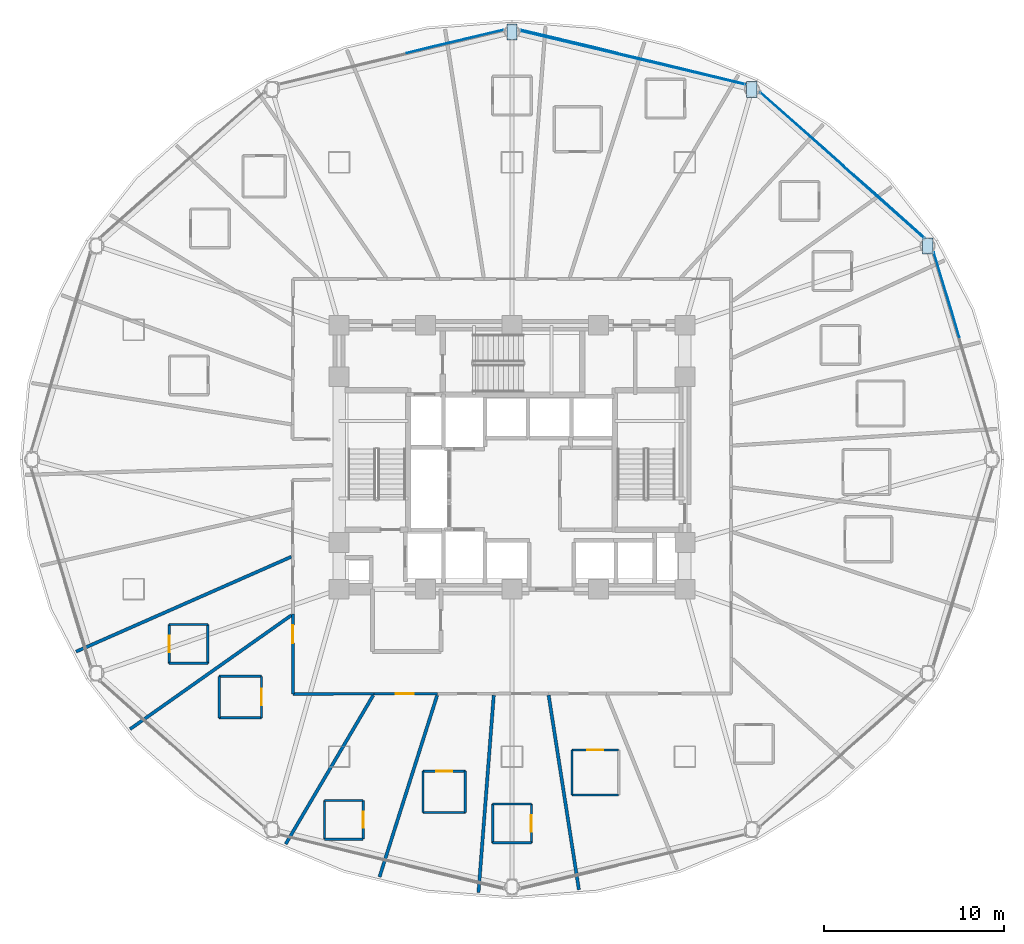
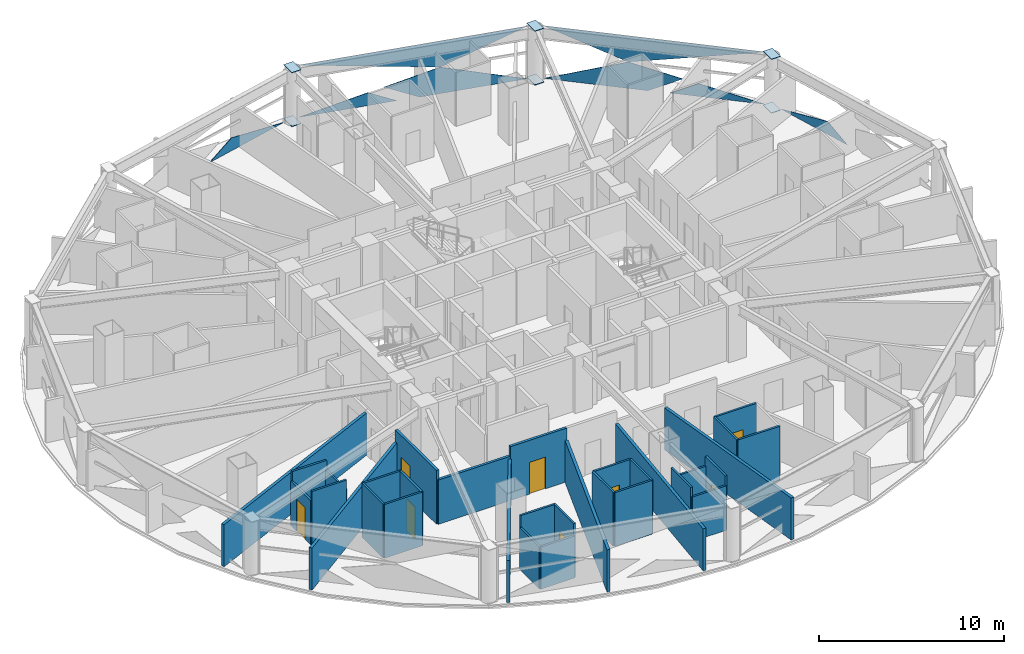
# One storey, part 23 of 32: 32 walls, 14 plates, 8 doors, 8 openings, 4 elements without a shape of their own.
"""IFC4 building model written with IfcOpenShell, lengths in metres."""

from ifc_helpers import new_model, si_unit, direction, frame, frame_2d, origin, place, context, subcontext, project, spatial, polyline, rectangle, outline, extrude, material, layer, layer_set, type_object, element, fill, aggregate, save


model = new_model("IFC4")

# Units and contexts
model_context = context("Model", 3, precision=1e-05, world=origin(), true_north=direction((0.0, 1.0)))
body_context = subcontext(model_context, "Body", "Model", "MODEL_VIEW")
ifc_project = project(units=[si_unit("LENGTHUNIT", "METRE"), si_unit("AREAUNIT", "SQUARE_METRE"), si_unit("VOLUMEUNIT", "CUBIC_METRE"), si_unit("PLANEANGLEUNIT", "RADIAN"), si_unit("MASSUNIT", "GRAM", prefix="KILO")], contexts=[model_context])

# Site, building, storey
site_placement = place(None, origin())
site = spatial("IfcSite", under=ifc_project, at=site_placement, CompositionType="ELEMENT")
building_placement = place(site_placement, origin())
building = spatial("IfcBuilding", under=site, at=building_placement, Name="Vantalir Tower", CompositionType="ELEMENT")
storey_placement = place(building_placement, frame((0.0, 0.0, 45.75)))
storey = spatial("IfcBuildingStorey", under=building, at=storey_placement, Name="L10", CompositionType="ELEMENT", Elevation=45.75)

# Curtain wall, plate
ifc_material_1 = material(Name="Champagne-silver PVDF aluminium and double-silver Low-E glass", Category="aluminium")
ifc_layer_1 = layer(ifc_material_1, 0.18994140625)
ifc_layer_set_1 = layer_set([ifc_layer_1], Name="Champagne-silver PVDF aluminium and double-silver Low-E glass")
curtain_wall_type = type_object("IfcCurtainWallType", Name="CW-DIAMOND-Z1", PredefinedType="USERDEFINED", material=ifc_layer_set_1)
curtain_wall_1_placement = place(storey_placement, origin())
curtain_wall_1 = element("IfcCurtainWall", 1, at=curtain_wall_1_placement, inside=storey, type_object=curtain_wall_type, Name="L10 Quilted Pyramid-Diamond Curtain Wall S01", ObjectType="UNITISED CURTAIN WALL", PredefinedType="USERDEFINED")
ifc_material_2 = material(Name="Double-silver Low-E laminated glass IGU", Category="glass")
ifc_layer_2 = layer(ifc_material_2, 0.028076171875)
ifc_layer_set_2 = layer_set([ifc_layer_2], Name="Double-silver Low-E laminated glass IGU")
plate_type_1 = type_object("IfcPlateType", Name="CWP-IGU-28", PredefinedType="CURTAIN_PANEL", material=ifc_layer_set_2)
plate_1_placement = place(storey_placement, frame((56.323486328125, 31.783935546875, 0.046142578125), z_axis=(-0.95759038905, -0.287801570428, 0.013816760045), x_axis=(-0.287829700777, 0.957681607266, -4.9548924e-05)))
plate_1 = element("IfcPlate", 2, at=plate_1_placement, type_object=plate_type_1, Name="CW-L10-S01 Pyramid Diamond Facet 1L Infill Light", PredefinedType="CURTAIN_PANEL", context=body_context, shape_type="SweptSolid", body=[
    extrude(outline(polyline([(0.0, 0.0), (4.927263888329867, 2.4665599424045226e-18), (1.4618071204743284, -0.8385313810885956), (0.0, 0.0)])), origin(), (0.0, 0.0, -1.0), 0.028076171875),
])
aggregate(curtain_wall_1, [plate_1])

# Curtain wall, plates
curtain_wall_2_placement = place(storey_placement, origin())
curtain_wall_2 = element("IfcCurtainWall", 3, at=curtain_wall_2_placement, inside=storey, type_object=curtain_wall_type, Name="L10 Quilted Pyramid-Diamond Curtain Wall S02", ObjectType="UNITISED CURTAIN WALL", PredefinedType="USERDEFINED")
plate_2_placement = place(storey_placement, frame((49.5517578125, 41.57861328125, 0.04638671875), z_axis=(-0.66536670794, -0.746390029798, 0.013750177533), x_axis=(-0.746460205422, 0.665430056339, 4.2915024e-05)))
plate_2 = element("IfcPlate", 4, at=plate_2_placement, type_object=plate_type_1, Name="CW-L10-S02 Pyramid Diamond Facet 1L", PredefinedType="CURTAIN_PANEL", context=body_context, shape_type="SweptSolid", body=[
    extrude(outline(polyline([(0.0, 0.0), (5.726677131115245, 3.9302328752599536e-18), (1.088783462560477, -1.7271673408944206), (-1.9118682876419688, -1.0407093991941267), (0.0, 0.0)])), origin(), (0.0, 0.0, -1.0), 0.028076171875),
])
plate_3_placement = place(storey_placement, frame((54.394287109375, 37.3046875, 0.0458984375), z_axis=(-0.665349140096, -0.746403820482, 0.013851301154), x_axis=(-0.746475432762, 0.66541297574, 0.0)))
plate_3 = element("IfcPlate", 5, at=plate_3_placement, type_object=plate_type_1, Name="CW-L10-S02 Pyramid Diamond Facet 1L Infill Light", PredefinedType="CURTAIN_PANEL", context=body_context, shape_type="SweptSolid", body=[
    extrude(outline(polyline([(0.0, 0.0), (5.225402731866094, 6.938893903907228e-18), (3.678675247986238, -0.8418776395829664), (0.0, 0.0)])), origin(), (0.0, 0.0, -1.0), 0.028076171875),
])
plate_4_placement = place(storey_placement, frame((45.277099609375, 45.389404296875, 3.5234375), z_axis=(0.665371267275, 0.746386987008, 0.013694608798), x_axis=(0.746456803677, -0.665433873381, 2.0035344e-05)))
plate_4 = element("IfcPlate", 6, at=plate_4_placement, type_object=plate_type_1, Name="CW-L10-S02 Pyramid Diamond Facet 2U", PredefinedType="CURTAIN_PANEL", context=body_context, shape_type="SweptSolid", body=[
    extrude(outline(polyline([(0.0, 0.0), (12.185497165828616, 4.174178364069192e-18), (4.637933054903152, 1.727305683223863), (0.0, 0.0)])), origin(), (0.0, 0.0, -1.0), 0.028076171875),
])
aggregate(curtain_wall_2, [plate_2, plate_3, plate_4])

curtain_wall_3_placement = place(storey_placement, origin())
curtain_wall_3 = element("IfcCurtainWall", 7, at=curtain_wall_3_placement, inside=storey, type_object=curtain_wall_type, Name="L10 Quilted Pyramid-Diamond Curtain Wall S03", ObjectType="UNITISED CURTAIN WALL", PredefinedType="USERDEFINED")
plate_5_placement = place(storey_placement, frame((44.443359375, 45.82470703125, 0.04638671875), z_axis=(-0.232271719919, -0.972553958301, 0.013734857772), x_axis=(-0.972645705417, 0.232293632573, 7.1201e-08)))
plate_5 = element("IfcPlate", 8, at=plate_5_placement, type_object=plate_type_1, Name="CW-L10-S03 Pyramid Diamond Facet 1L", PredefinedType="CURTAIN_PANEL", context=body_context, shape_type="SweptSolid", body=[
    extrude(outline(polyline([(0.0, 0.0), (6.034711447233511, 0.0), (8.038137639816432, -1.0401366037735902), (4.875957808240545, -1.7274579513557387), (0.0, 0.0)])), origin(), (0.0, 0.0, -1.0), 0.028076171875),
])
plate_6_placement = place(storey_placement, frame((37.337646484375, 47.5546875, 0.0458984375), z_axis=(-0.232271820533, -0.972555167663, 0.013647242898), x_axis=(-0.972645748173, 0.232293453548, 0.0)))
plate_6 = element("IfcPlate", 9, at=plate_6_placement, type_object=plate_type_1, Name="CW-L10-S03 Pyramid Diamond Facet 1L Infill Light", PredefinedType="CURTAIN_PANEL", context=body_context, shape_type="SweptSolid", body=[
    extrude(outline(polyline([(0.0, 0.0), (5.509346633336116, 3.469446951953614e-18), (1.6260116027675404, -0.8440727473944789), (0.0, 0.0)])), origin(), (0.0, 0.0, -1.0), 0.028076171875),
])
plate_7_placement = place(storey_placement, frame((31.9716796875, 48.803466796875, 3.523681640625), z_axis=(0.232286166338, 0.972550840911, 0.013711264369), x_axis=(0.972642333461, -0.232307750187, -1.9040058e-05)))
plate_7 = element("IfcPlate", 10, at=plate_7_placement, type_object=plate_type_1, Name="CW-L10-S03 Pyramid Diamond Facet 2U", PredefinedType="CURTAIN_PANEL", context=body_context, shape_type="SweptSolid", body=[
    extrude(outline(polyline([(0.0, 0.0), (12.822472617576965, 4.0657581468206416e-19), (7.9465474766790285, 1.7275501563723787), (0.0, 0.0)])), origin(), (0.0, 0.0, -1.0), 0.028076171875),
])
aggregate(curtain_wall_3, [plate_5, plate_6, plate_7])

# Curtain wall, plate
curtain_wall_4_placement = place(storey_placement, origin())
curtain_wall_4 = element("IfcCurtainWall", 11, at=curtain_wall_4_placement, inside=storey, type_object=curtain_wall_type, Name="L10 Quilted Pyramid-Diamond Curtain Wall S04", ObjectType="UNITISED CURTAIN WALL", PredefinedType="USERDEFINED")
plate_8_placement = place(storey_placement, frame((31.02099609375, 48.83447265625, 0.0458984375), z_axis=(0.232291757476, -0.972550019329, 0.01367476915), x_axis=(-0.972640965177, -0.232313479722, 0.0)))
plate_8 = element("IfcPlate", 12, at=plate_8_placement, type_object=plate_type_1, Name="CW-L10-S04 Pyramid Diamond Facet 1L Infill Light", PredefinedType="CURTAIN_PANEL", context=body_context, shape_type="SweptSolid", body=[
    extrude(outline(polyline([(0.0, 0.0), (5.508871709822063, 0.0), (3.8830973313971784, -0.8440730648557789), (0.0, 0.0)])), origin(), (0.0, 0.0, -1.0), 0.028076171875),
])
aggregate(curtain_wall_4, [plate_8])

# Plates
ifc_material_3 = material(Name="Steel S460", Category="steel")
ifc_layer_3 = layer(ifc_material_3, 0.035888671875)
ifc_layer_set_3 = layer_set([ifc_layer_3], Name="Steel S460")
plate_type_2 = type_object("IfcPlateType", Name="PLT-KN-Z2", PredefinedType="USERDEFINED", material=ifc_layer_set_3)
for number, where, z_axis, x_axis, name in (
    (13, (54.280029296875, 37.302978515625, 3.597900390625), (0.0, 0.0, 1.0), (0.0, -1.0, 0.0), "L10 Ring Column Top Cap RC02"),
    (14, (54.280029296875, 37.302978515625, 0.052978515625), (0.0, 0.0, 1.0), (0.0, -1.0, 0.0), "L10 Ring Column Base Cap RC02"),
):
    element("IfcPlate", number, at=place(storey_placement, frame(where, z_axis=z_axis, x_axis=x_axis)), inside=storey, type_object=plate_type_2, Name=name, ObjectType="FLANGE_PLATE", PredefinedType="USERDEFINED", context=body_context, shape_type="SweptSolid", body=[
        extrude(outline(polyline([(0.0, 0.0), (0.8798828125, 0.0), (0.8798828125, 0.580078125), (0.0, 0.580078125), (0.0, 0.0)])), origin(), (0.0, 0.0, -1.0), 0.035888671875),
    ])
for number, where, z_axis, x_axis, name in (
    (15, (44.530029296875, 45.987060546875, 3.597900390625), (0.0, 0.0, 1.0), (0.0, -1.0, 0.0), "L10 Ring Column Top Cap RC03"),
    (16, (44.530029296875, 45.987060546875, 0.052978515625), (0.0, 0.0, 1.0), (0.0, -1.0, 0.0), "L10 Ring Column Base Cap RC03"),
    (17, (31.2099609375, 49.166015625, 3.597900390625), (0.0, 0.0, 1.0), (0.0, -1.0, 0.0), "L10 Ring Column Top Cap RC04"),
    (18, (31.2099609375, 49.166015625, 0.052978515625), (0.0, 0.0, 1.0), (0.0, -1.0, 0.0), "L10 Ring Column Base Cap RC04"),
):
    element("IfcPlate", number, at=place(storey_placement, frame(where, z_axis=z_axis, x_axis=x_axis)), inside=storey, type_object=plate_type_2, Name=name, ObjectType="FLANGE_PLATE", PredefinedType="USERDEFINED", context=body_context, shape_type="SweptSolid", body=[
        extrude(outline(polyline([(0.0, 0.0), (0.880126953125, 0.0), (0.880126953125, 0.580078125), (0.0, 0.580078125), (0.0, 0.0)])), origin(), (0.0, 0.0, -1.0), 0.035888671875),
    ])

# Walls
ifc_material_4 = material(Name="Moisture-resistant en-suite partition", Category="gypsum")
ifc_layer_4 = layer(ifc_material_4, 0.125)
ifc_layer_set_4 = layer_set([ifc_layer_4], Name="Moisture-resistant en-suite partition")
wall_type_1 = type_object("IfcWallType", Name="WL-BATH-125", PredefinedType="PARTITIONING", material=ifc_layer_set_4)
for number, where, z_axis, x_axis, name in (
    (19, (12.465087890625, 13.68701171875, 0.0), (0.0, 0.0, 1.0), (1.0, 0.0, 0.0), "L10 En-suite 18 South Wall"),
    (20, (12.465087890625, 15.8369140625, 0.0), (0.0, 0.0, 1.0), (1.0, 0.0, 0.0), "L10 En-suite 18 North Wall"),
):
    element("IfcWall", number, at=place(storey_placement, frame(where, z_axis=z_axis, x_axis=x_axis)), inside=storey, type_object=wall_type_1, Name=name, PredefinedType="PARTITIONING", context=body_context, shape_type="SweptSolid", body=[
        extrude(rectangle(XDim=2.14990234375, YDim=0.125, at=frame_2d((1.074951171875, 0.0))), origin(), (0.0, 0.0, 1.0), 3.550048828125),
    ])

# Wall, opening, door
wall_1_placement = place(storey_placement, frame((12.465087890625, 13.68701171875, 0.0), z_axis=(0.0, 0.0, 1.0), x_axis=(0.0, 1.0, 0.0)))
wall_1 = element("IfcWall", 21, at=wall_1_placement, inside=storey, type_object=wall_type_1, Name="L10 En-suite 18 West Wall", PredefinedType="PARTITIONING", context=body_context, shape_type="SweptSolid", body=[
    extrude(rectangle(XDim=2.14990234375, YDim=0.125, at=frame_2d((1.074951171875, 0.0))), origin(), (0.0, 0.0, 1.0), 2.927978515625),
])
opening_1_placement = place(wall_1_placement, frame((0.625, 0.0, 0.0)))
opening_1 = element("IfcOpeningElement", 22, at=opening_1_placement, cuts=wall_1, Name="Opening D-WC", PredefinedType="OPENING", context=body_context, shape_type="SweptSolid", body=[
    extrude(rectangle(XDim=0.89990234375, YDim=2.10009765625, at=frame_2d((0.449951171875, 1.050048828125))), frame((0.0, 0.072509765625, 0.0), z_axis=(0.0, -1.0, 0.0), x_axis=(1.0, 0.0, 0.0)), (0.0, 0.0, 1.0), 0.14501953125),
])
ifc_material_5 = material(Name="Moisture-resistant hardwood door", Category="wood")
door_type_1 = type_object("IfcDoorType", Name="DR-ENSUITE-900", OperationType="NOTDEFINED", PredefinedType="DOOR", material=ifc_material_5)
door_1_placement = place(opening_1_placement, frame((0.89990234375, 0.0, 0.0), z_axis=(0.0, 0.0, 1.0), x_axis=(-1.0, 0.0, 0.0)))
door_1 = element("IfcDoor", 23, at=door_1_placement, inside=storey, type_object=door_type_1, Name="L10 En-suite 18 Door", OperationType="SINGLE_SWING_LEFT", OverallHeight=2.10009765625, OverallWidth=0.89990234375, PredefinedType="DOOR", context=body_context, shape_type="SweptSolid", body=[
    extrude(rectangle(XDim=0.89990234375, YDim=2.10009765625, at=frame_2d((0.449951171875, 1.050048828125))), frame((0.0, 0.02490234375, 0.0), z_axis=(0.0, -1.0, 0.0), x_axis=(1.0, 0.0, 0.0)), (0.0, 0.0, 1.0), 0.050048828125),
])
fill(opening_1, door_1)

# Walls
wall_2_placement = place(storey_placement, frame((14.614990234375, 13.68701171875, 0.0), z_axis=(0.0, 0.0, 1.0), x_axis=(0.0, 1.0, 0.0)))
element("IfcWall", 24, at=wall_2_placement, inside=storey, type_object=wall_type_1, Name="L10 En-suite 18 East Wall", PredefinedType="PARTITIONING", context=body_context, shape_type="SweptSolid", body=[
    extrude(rectangle(XDim=2.14990234375, YDim=0.125, at=frame_2d((1.074951171875, 0.0))), origin(), (0.0, 0.0, 1.0), 2.927978515625),
])
for number, where, z_axis, x_axis, name in (
    (25, (15.242919921875, 10.6630859375, 0.0), (0.0, 0.0, 1.0), (1.0, 0.0, 0.0), "L10 En-suite 19 South Wall"),
    (26, (15.242919921875, 12.962890625, 0.0), (0.0, 0.0, 1.0), (1.0, 0.0, 0.0), "L10 En-suite 19 North Wall"),
):
    element("IfcWall", number, at=place(storey_placement, frame(where, z_axis=z_axis, x_axis=x_axis)), inside=storey, type_object=wall_type_1, Name=name, PredefinedType="PARTITIONING", context=body_context, shape_type="SweptSolid", body=[
        extrude(rectangle(XDim=2.35009765625, YDim=0.125, at=frame_2d((1.175048828125, 0.0))), origin(), (0.0, 0.0, 1.0), 3.550048828125),
    ])
wall_3_placement = place(storey_placement, frame((15.242919921875, 10.6630859375, 0.0), z_axis=(0.0, 0.0, 1.0), x_axis=(0.0, 1.0, 0.0)))
element("IfcWall", 27, at=wall_3_placement, inside=storey, type_object=wall_type_1, Name="L10 En-suite 19 West Wall", PredefinedType="PARTITIONING", context=body_context, shape_type="SweptSolid", body=[
    extrude(rectangle(XDim=2.2998046875, YDim=0.125, at=frame_2d((1.14990234375, 0.0))), origin(), (0.0, 0.0, 1.0), 3.550048828125),
])

# Wall, opening, door
wall_4_placement = place(storey_placement, frame((17.593017578125, 10.6630859375, 0.0), z_axis=(0.0, 0.0, 1.0), x_axis=(0.0, 1.0, 0.0)))
wall_4 = element("IfcWall", 28, at=wall_4_placement, inside=storey, type_object=wall_type_1, Name="L10 En-suite 19 East Wall", PredefinedType="PARTITIONING", context=body_context, shape_type="SweptSolid", body=[
    extrude(rectangle(XDim=2.2998046875, YDim=0.125, at=frame_2d((1.14990234375, 0.0))), origin(), (0.0, 0.0, 1.0), 3.550048828125),
])
opening_2_placement = place(wall_4_placement, frame((0.699951171875, 0.0, 0.0)))
opening_2 = element("IfcOpeningElement", 29, at=opening_2_placement, cuts=wall_4, Name="Opening D-WC", PredefinedType="OPENING", context=body_context, shape_type="SweptSolid", body=[
    extrude(rectangle(XDim=0.89990234375, YDim=2.10009765625, at=frame_2d((0.449951171875, 1.050048828125))), frame((0.0, 0.072509765625, 0.0), z_axis=(0.0, -1.0, 0.0), x_axis=(1.0, 0.0, 0.0)), (0.0, 0.0, 1.0), 0.14501953125),
])
door_2_placement = place(opening_2_placement, origin())
door_2 = element("IfcDoor", 30, at=door_2_placement, inside=storey, type_object=door_type_1, Name="L10 En-suite 19 Door", OperationType="SINGLE_SWING_RIGHT", OverallHeight=2.10009765625, OverallWidth=0.89990234375, PredefinedType="DOOR", context=body_context, shape_type="SweptSolid", body=[
    extrude(rectangle(XDim=0.89990234375, YDim=2.10009765625, at=frame_2d((0.449951171875, 1.050048828125))), frame((0.0, 0.02490234375, 0.0), z_axis=(0.0, -1.0, 0.0), x_axis=(1.0, 0.0, 0.0)), (0.0, 0.0, 1.0), 0.050048828125),
])
fill(opening_2, door_2)

# Walls
wall_5_placement = place(storey_placement, frame((21.090087890625, 3.923095703125, 0.0), z_axis=(0.0, 0.0, 1.0), x_axis=(1.0, 0.0, 0.0)))
element("IfcWall", 31, at=wall_5_placement, inside=storey, type_object=wall_type_1, Name="L10 En-suite 20 South Wall", PredefinedType="PARTITIONING", context=body_context, shape_type="SweptSolid", body=[
    extrude(rectangle(XDim=2.14990234375, YDim=0.125, at=frame_2d((1.074951171875, 0.0))), origin(), (0.0, 0.0, 1.0), 2.77490234375),
])
wall_6_placement = place(storey_placement, frame((21.090087890625, 6.072998046875, 0.0), z_axis=(0.0, 0.0, 1.0), x_axis=(1.0, 0.0, 0.0)))
element("IfcWall", 32, at=wall_6_placement, inside=storey, type_object=wall_type_1, Name="L10 En-suite 20 North Wall", PredefinedType="PARTITIONING", context=body_context, shape_type="SweptSolid", body=[
    extrude(rectangle(XDim=2.14990234375, YDim=0.125, at=frame_2d((1.074951171875, 0.0))), origin(), (0.0, 0.0, 1.0), 3.550048828125),
])
wall_7_placement = place(storey_placement, frame((21.090087890625, 3.923095703125, 0.0), z_axis=(0.0, 0.0, 1.0), x_axis=(0.0, 1.0, 0.0)))
element("IfcWall", 33, at=wall_7_placement, inside=storey, type_object=wall_type_1, Name="L10 En-suite 20 West Wall", PredefinedType="PARTITIONING", context=body_context, shape_type="SweptSolid", body=[
    extrude(rectangle(XDim=2.14990234375, YDim=0.125, at=frame_2d((1.074951171875, 0.0))), origin(), (0.0, 0.0, 1.0), 2.77490234375),
])

# Wall, opening, door
wall_8_placement = place(storey_placement, frame((23.239990234375, 3.923095703125, 0.0), z_axis=(0.0, 0.0, 1.0), x_axis=(0.0, 1.0, 0.0)))
wall_8 = element("IfcWall", 34, at=wall_8_placement, inside=storey, type_object=wall_type_1, Name="L10 En-suite 20 East Wall", PredefinedType="PARTITIONING", context=body_context, shape_type="SweptSolid", body=[
    extrude(rectangle(XDim=2.14990234375, YDim=0.125, at=frame_2d((1.074951171875, 0.0))), origin(), (0.0, 0.0, 1.0), 3.550048828125),
])
opening_3_placement = place(wall_8_placement, frame((0.625, 0.0, 0.0)))
opening_3 = element("IfcOpeningElement", 35, at=opening_3_placement, cuts=wall_8, Name="Opening D-WC", PredefinedType="OPENING", context=body_context, shape_type="SweptSolid", body=[
    extrude(rectangle(XDim=0.89990234375, YDim=2.10009765625, at=frame_2d((0.449951171875, 1.050048828125))), frame((0.0, 0.072509765625, 0.0), z_axis=(0.0, -1.0, 0.0), x_axis=(1.0, 0.0, 0.0)), (0.0, 0.0, 1.0), 0.14501953125),
])
door_3_placement = place(opening_3_placement, origin())
door_3 = element("IfcDoor", 36, at=door_3_placement, inside=storey, type_object=door_type_1, Name="L10 En-suite 20 Door", OperationType="SINGLE_SWING_LEFT", OverallHeight=2.10009765625, OverallWidth=0.89990234375, PredefinedType="DOOR", context=body_context, shape_type="SweptSolid", body=[
    extrude(rectangle(XDim=0.89990234375, YDim=2.10009765625, at=frame_2d((0.449951171875, 1.050048828125))), frame((0.0, 0.02490234375, 0.0), z_axis=(0.0, -1.0, 0.0), x_axis=(1.0, 0.0, 0.0)), (0.0, 0.0, 1.0), 0.050048828125),
])
fill(opening_3, door_3)

# Wall
wall_9_placement = place(storey_placement, frame((26.56005859375, 5.40087890625, 0.0), z_axis=(0.0, 0.0, 1.0), x_axis=(1.0, 0.0, 0.0)))
element("IfcWall", 37, at=wall_9_placement, inside=storey, type_object=wall_type_1, Name="L10 En-suite 21 South Wall", PredefinedType="PARTITIONING", context=body_context, shape_type="SweptSolid", body=[
    extrude(rectangle(XDim=2.349853515625, YDim=0.125, at=frame_2d((1.1748046875, 0.0))), origin(), (0.0, 0.0, 1.0), 3.550048828125),
])

# Wall, opening, door
wall_10_placement = place(storey_placement, frame((26.56005859375, 7.700927734375, 0.0), z_axis=(0.0, 0.0, 1.0), x_axis=(1.0, 0.0, 0.0)))
wall_10 = element("IfcWall", 38, at=wall_10_placement, inside=storey, type_object=wall_type_1, Name="L10 En-suite 21 North Wall", PredefinedType="PARTITIONING", context=body_context, shape_type="SweptSolid", body=[
    extrude(rectangle(XDim=2.349853515625, YDim=0.125, at=frame_2d((1.1748046875, 0.0))), origin(), (0.0, 0.0, 1.0), 3.550048828125),
])
opening_4_placement = place(wall_10_placement, frame((0.72509765625, 0.0, 0.0)))
opening_4 = element("IfcOpeningElement", 39, at=opening_4_placement, cuts=wall_10, Name="Opening D-WC", PredefinedType="OPENING", context=body_context, shape_type="SweptSolid", body=[
    extrude(rectangle(XDim=0.89990234375, YDim=2.10009765625, at=frame_2d((0.449951171875, 1.050048828125))), frame((0.0, 0.072509765625, 0.0), z_axis=(0.0, -1.0, 0.0), x_axis=(1.0, 0.0, 0.0)), (0.0, 0.0, 1.0), 0.14501953125),
])
door_4_placement = place(opening_4_placement, frame((0.89990234375, 0.0, 0.0), z_axis=(0.0, 0.0, 1.0), x_axis=(-1.0, 0.0, 0.0)))
door_4 = element("IfcDoor", 40, at=door_4_placement, inside=storey, type_object=door_type_1, Name="L10 En-suite 21 Door", OperationType="SINGLE_SWING_RIGHT", OverallHeight=2.10009765625, OverallWidth=0.89990234375, PredefinedType="DOOR", context=body_context, shape_type="SweptSolid", body=[
    extrude(rectangle(XDim=0.89990234375, YDim=2.10009765625, at=frame_2d((0.449951171875, 1.050048828125))), frame((0.0, 0.02490234375, 0.0), z_axis=(0.0, -1.0, 0.0), x_axis=(1.0, 0.0, 0.0)), (0.0, 0.0, 1.0), 0.050048828125),
])
fill(opening_4, door_4)

# Walls
for number, where, z_axis, x_axis, name in (
    (41, (26.56005859375, 5.40087890625, 0.0), (0.0, 0.0, 1.0), (0.0, 1.0, 0.0), "L10 En-suite 21 West Wall"),
    (42, (28.909912109375, 5.40087890625, 0.0), (0.0, 0.0, 1.0), (0.0, 1.0, 0.0), "L10 En-suite 21 East Wall"),
):
    element("IfcWall", number, at=place(storey_placement, frame(where, z_axis=z_axis, x_axis=x_axis)), inside=storey, type_object=wall_type_1, Name=name, PredefinedType="PARTITIONING", context=body_context, shape_type="SweptSolid", body=[
        extrude(rectangle(XDim=2.300048828125, YDim=0.125, at=frame_2d((1.14990234375, 0.0))), origin(), (0.0, 0.0, 1.0), 3.550048828125),
    ])
for number, where, z_axis, x_axis, name in (
    (43, (30.427978515625, 3.72412109375, 0.0), (0.0, 0.0, 1.0), (1.0, 0.0, 0.0), "L10 En-suite 22 South Wall"),
    (44, (30.427978515625, 5.8740234375, 0.0), (0.0, 0.0, 1.0), (1.0, 0.0, 0.0), "L10 En-suite 22 North Wall"),
):
    element("IfcWall", number, at=place(storey_placement, frame(where, z_axis=z_axis, x_axis=x_axis)), inside=storey, type_object=wall_type_1, Name=name, PredefinedType="PARTITIONING", context=body_context, shape_type="SweptSolid", body=[
        extrude(rectangle(XDim=2.14990234375, YDim=0.125, at=frame_2d((1.074951171875, 0.0))), origin(), (0.0, 0.0, 1.0), 2.927978515625),
    ])
wall_11_placement = place(storey_placement, frame((30.427978515625, 3.72412109375, 0.0), z_axis=(0.0, 0.0, 1.0), x_axis=(0.0, 1.0, 0.0)))
element("IfcWall", 45, at=wall_11_placement, inside=storey, type_object=wall_type_1, Name="L10 En-suite 22 West Wall", PredefinedType="PARTITIONING", context=body_context, shape_type="SweptSolid", body=[
    extrude(rectangle(XDim=2.14990234375, YDim=0.125, at=frame_2d((1.074951171875, 0.0))), origin(), (0.0, 0.0, 1.0), 3.550048828125),
])

# Wall, opening, door
wall_12_placement = place(storey_placement, frame((32.577880859375, 3.72412109375, 0.0), z_axis=(0.0, 0.0, 1.0), x_axis=(0.0, 1.0, 0.0)))
wall_12 = element("IfcWall", 46, at=wall_12_placement, inside=storey, type_object=wall_type_1, Name="L10 En-suite 22 East Wall", PredefinedType="PARTITIONING", context=body_context, shape_type="SweptSolid", body=[
    extrude(rectangle(XDim=2.14990234375, YDim=0.125, at=frame_2d((1.074951171875, 0.0))), origin(), (0.0, 0.0, 1.0), 3.550048828125),
])
opening_5_placement = place(wall_12_placement, frame((0.625, 0.0, 0.0)))
opening_5 = element("IfcOpeningElement", 47, at=opening_5_placement, cuts=wall_12, Name="Opening D-WC", PredefinedType="OPENING", context=body_context, shape_type="SweptSolid", body=[
    extrude(rectangle(XDim=0.89990234375, YDim=2.10009765625, at=frame_2d((0.449951171875, 1.050048828125))), frame((0.0, 0.072509765625, 0.0), z_axis=(0.0, -1.0, 0.0), x_axis=(1.0, 0.0, 0.0)), (0.0, 0.0, 1.0), 0.14501953125),
])
door_5_placement = place(opening_5_placement, origin())
door_5 = element("IfcDoor", 48, at=door_5_placement, inside=storey, type_object=door_type_1, Name="L10 En-suite 22 Door", OperationType="SINGLE_SWING_LEFT", OverallHeight=2.10009765625, OverallWidth=0.89990234375, PredefinedType="DOOR", context=body_context, shape_type="SweptSolid", body=[
    extrude(rectangle(XDim=0.89990234375, YDim=2.10009765625, at=frame_2d((0.449951171875, 1.050048828125))), frame((0.0, 0.02490234375, 0.0), z_axis=(0.0, -1.0, 0.0), x_axis=(1.0, 0.0, 0.0)), (0.0, 0.0, 1.0), 0.050048828125),
])
fill(opening_5, door_5)

# Wall
wall_13_placement = place(storey_placement, frame((34.824951171875, 6.373046875, 0.0), z_axis=(0.0, 0.0, 1.0), x_axis=(1.0, 0.0, 0.0)))
element("IfcWall", 49, at=wall_13_placement, inside=storey, type_object=wall_type_1, Name="L10 En-suite 23 South Wall", PredefinedType="PARTITIONING", context=body_context, shape_type="SweptSolid", body=[
    extrude(rectangle(XDim=2.60009765625, YDim=0.125, at=frame_2d((1.300048828125, 0.0))), origin(), (0.0, 0.0, 1.0), 3.550048828125),
])

# Wall, opening, door
wall_14_placement = place(storey_placement, frame((34.824951171875, 8.873046875, 0.0), z_axis=(0.0, 0.0, 1.0), x_axis=(1.0, 0.0, 0.0)))
wall_14 = element("IfcWall", 50, at=wall_14_placement, inside=storey, type_object=wall_type_1, Name="L10 En-suite 23 North Wall", PredefinedType="PARTITIONING", context=body_context, shape_type="SweptSolid", body=[
    extrude(rectangle(XDim=2.60009765625, YDim=0.125, at=frame_2d((1.300048828125, 0.0))), origin(), (0.0, 0.0, 1.0), 3.550048828125),
])
opening_6_placement = place(wall_14_placement, frame((0.85009765625, 0.0, 0.0)))
opening_6 = element("IfcOpeningElement", 51, at=opening_6_placement, cuts=wall_14, Name="Opening D-WC", PredefinedType="OPENING", context=body_context, shape_type="SweptSolid", body=[
    extrude(rectangle(XDim=0.89990234375, YDim=2.10009765625, at=frame_2d((0.449951171875, 1.050048828125))), frame((0.0, 0.072509765625, 0.0), z_axis=(0.0, -1.0, 0.0), x_axis=(1.0, 0.0, 0.0)), (0.0, 0.0, 1.0), 0.14501953125),
])
door_6_placement = place(opening_6_placement, frame((0.89990234375, 0.0, 0.0), z_axis=(0.0, 0.0, 1.0), x_axis=(-1.0, 0.0, 0.0)))
door_6 = element("IfcDoor", 52, at=door_6_placement, inside=storey, type_object=door_type_1, Name="L10 En-suite 23 Door", OperationType="SINGLE_SWING_RIGHT", OverallHeight=2.10009765625, OverallWidth=0.89990234375, PredefinedType="DOOR", context=body_context, shape_type="SweptSolid", body=[
    extrude(rectangle(XDim=0.89990234375, YDim=2.10009765625, at=frame_2d((0.449951171875, 1.050048828125))), frame((0.0, 0.02490234375, 0.0), z_axis=(0.0, -1.0, 0.0), x_axis=(1.0, 0.0, 0.0)), (0.0, 0.0, 1.0), 0.050048828125),
])
fill(opening_6, door_6)

# Wall
wall_15_placement = place(storey_placement, frame((34.824951171875, 6.373046875, 0.0), z_axis=(0.0, 0.0, 1.0), x_axis=(0.0, 1.0, 0.0)))
element("IfcWall", 53, at=wall_15_placement, inside=storey, type_object=wall_type_1, Name="L10 En-suite 23 West Wall", PredefinedType="PARTITIONING", context=body_context, shape_type="SweptSolid", body=[
    extrude(rectangle(XDim=2.5, YDim=0.125, at=frame_2d((1.25, 0.0))), origin(), (0.0, 0.0, 1.0), 3.550048828125),
])

# Wall, opening, door
ifc_material_6 = material(Name="Fire-rated hotel corridor acoustic partition", Category="gypsum")
ifc_layer_5 = layer(ifc_material_6, 0.159912109375)
ifc_layer_set_5 = layer_set([ifc_layer_5], Name="Fire-rated hotel corridor acoustic partition")
wall_type_2 = type_object("IfcWallType", Name="WL-CORR-160", PredefinedType="PARTITIONING", material=ifc_layer_set_5)
wall_16_placement = place(storey_placement, frame((27.3740234375, 11.998046875, 0.0), z_axis=(0.0, 0.0, 1.0), x_axis=(-0.999999655033, -0.000830621988, 0.0)))
wall_16 = element("IfcWall", 54, at=wall_16_placement, inside=storey, type_object=wall_type_2, Name="L10 Corridor Partition 28", PredefinedType="PARTITIONING", context=body_context, shape_type="SweptSolid", body=[
    extrude(rectangle(XDim=3.527099609375, YDim=0.159912109375, at=frame_2d((1.763671875, 0.0))), origin(), (0.0, 0.0, 1.0), 3.550048828125),
])
opening_7_placement = place(wall_16_placement, frame((1.3369140625, 0.0, 0.0)))
opening_7 = element("IfcOpeningElement", 55, at=opening_7_placement, cuts=wall_16, Name="Opening D-GUEST", PredefinedType="OPENING", context=body_context, shape_type="SweptSolid", body=[
    extrude(rectangle(XDim=1.0, YDim=2.10009765625, at=frame_2d((0.5, 1.050048828125))), frame((0.0, 0.08984375, 0.0), z_axis=(0.0, -1.0, 0.0), x_axis=(1.0, 0.0, 0.0)), (0.0, 0.0, 1.0), 0.179931640625),
])
ifc_material_7 = material(Name="Solid-core teak veneer acoustic fire door", Category="wood")
door_type_2 = type_object("IfcDoorType", Name="DR-GUEST-ENTRY-1000", OperationType="NOTDEFINED", PredefinedType="DOOR", material=ifc_material_7)
door_7_placement = place(opening_7_placement, origin())
door_7 = element("IfcDoor", 56, at=door_7_placement, inside=storey, type_object=door_type_2, Name="L10 Twin Queen Hotel Room 20 Door", OperationType="SINGLE_SWING_LEFT", OverallHeight=2.10009765625, OverallWidth=1.0, PredefinedType="DOOR", context=body_context, shape_type="SweptSolid", body=[
    extrude(rectangle(XDim=1.0, YDim=2.10009765625, at=frame_2d((0.5, 1.050048828125))), frame((0.0, 0.02490234375, 0.0), z_axis=(0.0, -1.0, 0.0), x_axis=(1.0, 0.0, 0.0)), (0.0, 0.0, 1.0), 0.050048828125),
])
fill(opening_7, door_7)

# Wall
wall_17_placement = place(storey_placement, frame((23.846923828125, 11.9951171875, 0.0), z_axis=(0.0, 0.0, 1.0), x_axis=(-0.999999751603, -0.000704836086, 0.0)))
element("IfcWall", 57, at=wall_17_placement, inside=storey, type_object=wall_type_2, Name="L10 Corridor Partition 29", PredefinedType="PARTITIONING", context=body_context, shape_type="SweptSolid", body=[
    extrude(rectangle(XDim=4.5029296875, YDim=0.159912109375, at=frame_2d((2.25146484375, 0.0))), origin(), (0.0, 0.0, 1.0), 2.927978515625),
])

# Wall, opening, door
wall_18_placement = place(storey_placement, frame((19.343994140625, 11.991943359375, 0.0), z_axis=(0.0, 0.0, 1.0), x_axis=(-0.001822295279, 0.999998339619, 0.0)))
wall_18 = element("IfcWall", 58, at=wall_18_placement, inside=storey, type_object=wall_type_2, Name="L10 Corridor Partition 30", PredefinedType="PARTITIONING", context=body_context, shape_type="SweptSolid", body=[
    extrude(rectangle(XDim=4.421142578125, YDim=0.159912109375, at=frame_2d((2.21044921875, 0.0))), origin(), (0.0, 0.0, 1.0), 3.550048828125),
])
opening_8_placement = place(wall_18_placement, frame((2.818115234375, 0.0, 0.0)))
opening_8 = element("IfcOpeningElement", 59, at=opening_8_placement, cuts=wall_18, Name="Opening D-GUEST", PredefinedType="OPENING", context=body_context, shape_type="SweptSolid", body=[
    extrude(rectangle(XDim=1.0, YDim=2.10009765625, at=frame_2d((0.5, 1.050048828125))), frame((0.0, 0.08984375, 0.0), z_axis=(0.0, -1.0, 0.0), x_axis=(1.0, 0.0, 0.0)), (0.0, 0.0, 1.0), 0.179931640625),
])
door_8_placement = place(opening_8_placement, origin())
door_8 = element("IfcDoor", 60, at=door_8_placement, inside=storey, type_object=door_type_2, Name="L10 Deluxe King Hotel Room 19 Door", OperationType="SINGLE_SWING_RIGHT", OverallHeight=2.10009765625, OverallWidth=1.0, PredefinedType="DOOR", context=body_context, shape_type="SweptSolid", body=[
    extrude(rectangle(XDim=1.0, YDim=2.10009765625, at=frame_2d((0.5, 1.050048828125))), frame((0.0, 0.02490234375, 0.0), z_axis=(0.0, -1.0, 0.0), x_axis=(1.0, 0.0, 0.0)), (0.0, 0.0, 1.0), 0.050048828125),
])
fill(opening_8, door_8)

# Walls
ifc_material_8 = material(Name="Twin-stud acoustic fire-rated gypsum partition", Category="gypsum")
ifc_layer_6 = layer(ifc_material_8, 0.179931640625)
ifc_layer_set_6 = layer_set([ifc_layer_6], Name="Twin-stud acoustic fire-rated gypsum partition")
wall_type_3 = type_object("IfcWallType", Name="WL-GUEST-180", PredefinedType="PARTITIONING", material=ifc_layer_set_6)
wall_19_placement = place(storey_placement, frame((19.248046875, 19.60107421875, 0.0), z_axis=(0.0, 0.0, 1.0), x_axis=(-0.915085250617, -0.403260442025, 0.0)))
element("IfcWall", 61, at=wall_19_placement, inside=storey, type_object=wall_type_3, Name="L10 Radial Suite Partition 18", PredefinedType="PARTITIONING", context=body_context, shape_type="SweptSolid", body=[
    extrude(rectangle(XDim=13.058837890625, YDim=0.179931640625, at=frame_2d((6.529296875, 0.0))), origin(), (0.0, 0.0, 1.0), 2.77490234375),
])
wall_20_placement = place(storey_placement, frame((19.248046875, 16.35107421875, 0.0), z_axis=(0.0, 0.0, 1.0), x_axis=(-0.816958598031, -0.576696323123, 0.0)))
element("IfcWall", 62, at=wall_20_placement, inside=storey, type_object=wall_type_3, Name="L10 Radial Suite Partition 19", PredefinedType="PARTITIONING", context=body_context, shape_type="SweptSolid", body=[
    extrude(rectangle(XDim=10.9541015625, YDim=0.179931640625, at=frame_2d((5.47705078125, 0.0))), origin(), (0.0, 0.0, 1.0), 2.77490234375),
])
wall_21_placement = place(storey_placement, frame((23.798095703125, 11.9130859375, 0.0), z_axis=(0.0, 0.0, 1.0), x_axis=(-0.507163744978, -0.86184971763, 0.0)))
element("IfcWall", 63, at=wall_21_placement, inside=storey, type_object=wall_type_3, Name="L10 Radial Suite Partition 20", PredefinedType="PARTITIONING", context=body_context, shape_type="SweptSolid", body=[
    extrude(rectangle(XDim=9.5830078125, YDim=0.179931640625, at=frame_2d((4.79150390625, 0.0))), origin(), (0.0, 0.0, 1.0), 2.77490234375),
])
wall_22_placement = place(storey_placement, frame((27.345947265625, 11.9130859375, 0.0), z_axis=(0.0, 0.0, 1.0), x_axis=(-0.30246369842, -0.953160905166, 0.0)))
element("IfcWall", 64, at=wall_22_placement, inside=storey, type_object=wall_type_3, Name="L10 Radial Suite Partition 21", PredefinedType="PARTITIONING", context=body_context, shape_type="SweptSolid", body=[
    extrude(rectangle(XDim=10.582763671875, YDim=0.179931640625, at=frame_2d((5.29150390625, 0.0))), origin(), (0.0, 0.0, 1.0), 2.77490234375),
])
wall_23_placement = place(storey_placement, frame((30.487060546875, 11.9130859375, 0.0), z_axis=(0.0, 0.0, 1.0), x_axis=(-0.077184667338, -0.997016813864, 0.0)))
element("IfcWall", 65, at=wall_23_placement, inside=storey, type_object=wall_type_3, Name="L10 Radial Suite Partition 22", PredefinedType="PARTITIONING", context=body_context, shape_type="SweptSolid", body=[
    extrude(rectangle(XDim=10.975830078125, YDim=0.179931640625, at=frame_2d((5.48779296875, 0.0))), origin(), (0.0, 0.0, 1.0), 2.77490234375),
])
wall_24_placement = place(storey_placement, frame((33.534912109375, 11.9130859375, 0.0), z_axis=(0.0, 0.0, 1.0), x_axis=(0.153749177846, -0.988109908012, 0.0)))
element("IfcWall", 66, at=wall_24_placement, inside=storey, type_object=wall_type_3, Name="L10 Radial Suite Partition 23", PredefinedType="PARTITIONING", context=body_context, shape_type="SweptSolid", body=[
    extrude(rectangle(XDim=10.927978515625, YDim=0.179931640625, at=frame_2d((5.4638671875, 0.0))), origin(), (0.0, 0.0, 1.0), 2.77490234375),
])

save(model, "model.ifc")
